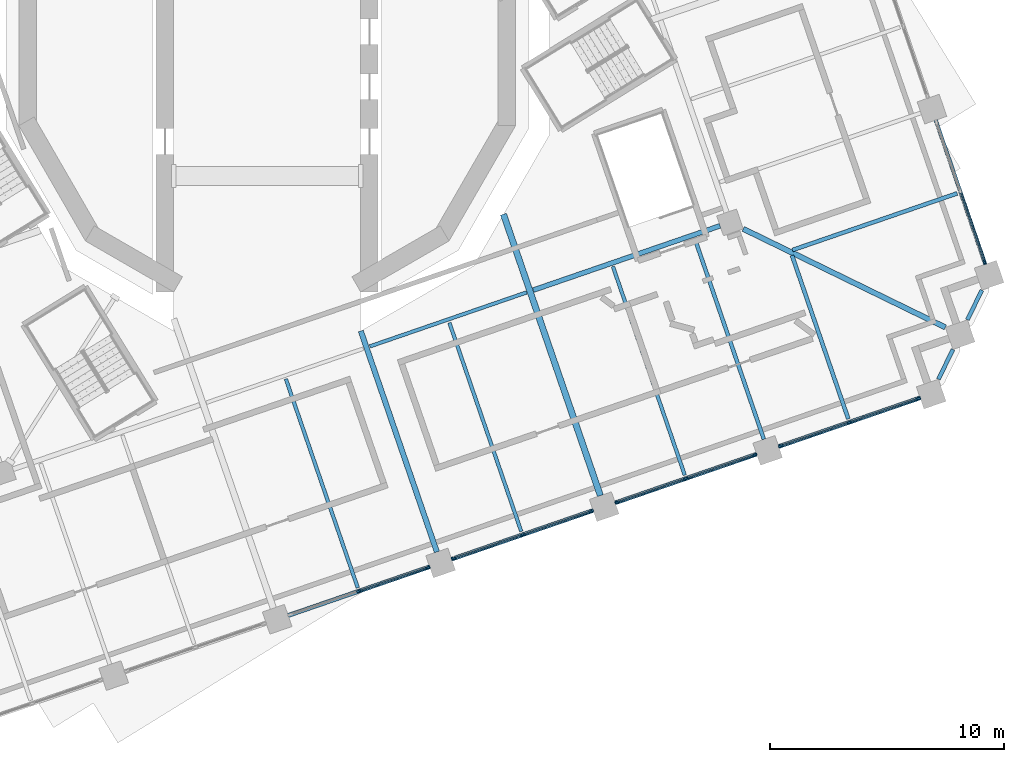
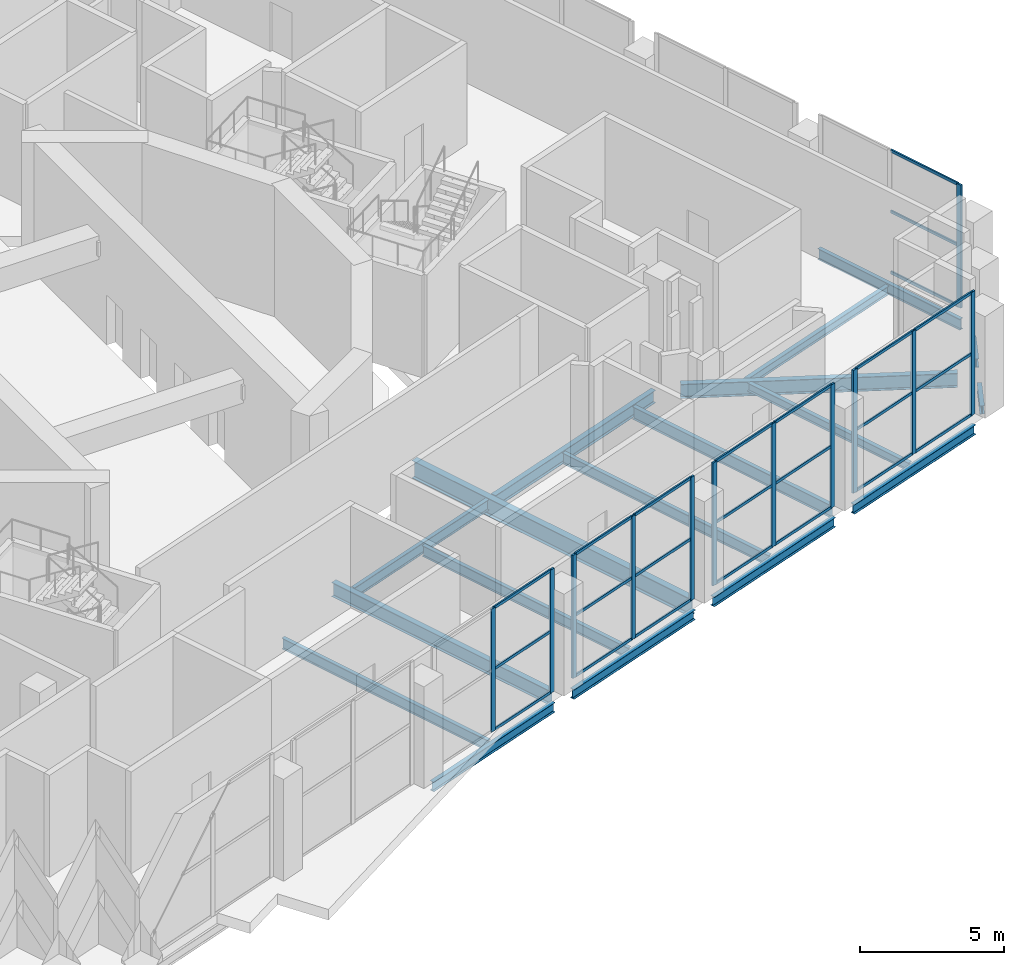
# One storey, part 4 of 20: 36 members, 18 beams, 5 elements without a shape of their own.
"""IFC4 building model written with IfcOpenShell, lengths in metres."""

from ifc_helpers import new_model, si_unit, direction, frame, origin, origin_2d, place, context, subcontext, project, spatial, rectangle, i_section, extrude, material, material_profile, profile_set, type_object, element, aggregate, save


model = new_model("IFC4")

# Units and contexts
model_context = context("Model", 3, precision=1e-05, world=origin(), true_north=direction((0.0, 1.0)))
body_context = subcontext(model_context, "Body", "Model", "MODEL_VIEW")
ifc_project = project(units=[si_unit("LENGTHUNIT", "METRE"), si_unit("AREAUNIT", "SQUARE_METRE"), si_unit("VOLUMEUNIT", "CUBIC_METRE"), si_unit("PLANEANGLEUNIT", "RADIAN"), si_unit("MASSUNIT", "GRAM", prefix="KILO")], contexts=[model_context])

# Site, building, storey
site_placement = place(None, origin())
site = spatial("IfcSite", under=ifc_project, at=site_placement, CompositionType="ELEMENT")
building_placement = place(site_placement, origin())
building = spatial("IfcBuilding", under=site, at=building_placement, Name="Cantera Rosa Tower", CompositionType="ELEMENT")
storey_placement = place(building_placement, frame((0.0, 0.0, 142.10009765625)))
storey = spatial("IfcBuildingStorey", under=building, at=storey_placement, Name="L30", CompositionType="ELEMENT", Elevation=142.10009765625)

# Curtain wall, member
ifc_material_1 = material(Name="Anodised aluminium louvre", Category="aluminium")
curtain_wall_type = type_object("IfcCurtainWallType", Name="CW3 REFUGE LOUVRE WALL", PredefinedType="NOTDEFINED", material=ifc_material_1)
curtain_wall_1_placement = place(storey_placement, origin())
curtain_wall_1 = element("IfcCurtainWall", 1, at=curtain_wall_1_placement, inside=storey, type_object=curtain_wall_type, Name="CW3 CW3", PredefinedType="NOTDEFINED")
ifc_material_2 = material(Name="Anodised bronze aluminium", Category="aluminium")
ifc_material_profile_1 = material_profile(ifc_material_2, rectangle(XDim=0.080078125, YDim=0.199951171875, at=origin_2d()), Name="CW-MULLION 80x200 REFUGE")
ifc_profile_set_1 = profile_set([ifc_material_profile_1], Name="Anodised bronze aluminium")
member_type_1 = type_object("IfcMemberType", Name="CW-MULLION 80x200 REFUGE", PredefinedType="MULLION", material=ifc_profile_set_1)
member_1_placement = place(storey_placement, frame((30.701171875, -8.68798828125, 0.0), z_axis=(0.0, 0.0, 1.0), x_axis=(-0.945518575605, -0.325568154441, 0.0)))
member_1 = element("IfcMember", 2, at=member_1_placement, type_object=member_type_1, Name="CW3 mullion 1", PredefinedType="MULLION", context=body_context, shape_type="SweptSolid", body=[
    extrude(rectangle(XDim=0.080078125, YDim=0.199951171875, at=origin_2d()), origin(), (0.0, 0.0, 1.0), 5.199951171875),
])

# Curtain wall, members
curtain_wall_2_placement = place(storey_placement, origin())
curtain_wall_2 = element("IfcCurtainWall", 3, at=curtain_wall_2_placement, inside=storey, type_object=curtain_wall_type, Name="CW3 CW3", PredefinedType="NOTDEFINED")
member_2_placement = place(storey_placement, frame((3.924560546875, -22.762451171875, 0.0), z_axis=(0.0, 0.0, 1.0), x_axis=(-0.325568154408, 0.945518575616, 0.0)))
member_2 = element("IfcMember", 4, at=member_2_placement, type_object=member_type_1, Name="CW3 mullion 2", PredefinedType="MULLION", context=body_context, shape_type="SweptSolid", body=[
    extrude(rectangle(XDim=0.080078125, YDim=0.199951171875, at=origin_2d()), origin(), (0.0, 0.0, 1.0), 5.199951171875),
])
member_3_placement = place(storey_placement, frame((6.864990234375, -21.75, 0.0), z_axis=(0.0, 0.0, 1.0), x_axis=(-0.325568154408, 0.945518575616, 0.0)))
member_3 = element("IfcMember", 5, at=member_3_placement, type_object=member_type_1, Name="CW3 mullion 3", PredefinedType="MULLION", context=body_context, shape_type="SweptSolid", body=[
    extrude(rectangle(XDim=0.080078125, YDim=0.199951171875, at=origin_2d()), origin(), (0.0, 0.0, 1.0), 5.199951171875),
])

curtain_wall_3_placement = place(storey_placement, origin())
curtain_wall_3 = element("IfcCurtainWall", 6, at=curtain_wall_3_placement, inside=storey, type_object=curtain_wall_type, Name="CW3 CW3", PredefinedType="NOTDEFINED")
member_4_placement = place(storey_placement, frame((7.980712890625, -21.36572265625, 0.0), z_axis=(0.0, 0.0, 1.0), x_axis=(-0.325568154457, 0.945518575599, 0.0)))
member_4 = element("IfcMember", 7, at=member_4_placement, type_object=member_type_1, Name="CW3 mullion 1", PredefinedType="MULLION", context=body_context, shape_type="SweptSolid", body=[
    extrude(rectangle(XDim=0.080078125, YDim=0.199951171875, at=origin_2d()), origin(), (0.0, 0.0, 1.0), 5.199951171875),
])
member_5_placement = place(storey_placement, frame((10.92138671875, -20.353271484375, 0.0), z_axis=(0.0, 0.0, 1.0), x_axis=(-0.325568154457, 0.945518575599, 0.0)))
member_5 = element("IfcMember", 8, at=member_5_placement, type_object=member_type_1, Name="CW3 mullion 2", PredefinedType="MULLION", context=body_context, shape_type="SweptSolid", body=[
    extrude(rectangle(XDim=0.080078125, YDim=0.199951171875, at=origin_2d()), origin(), (0.0, 0.0, 1.0), 5.199951171875),
])
member_6_placement = place(storey_placement, frame((13.86181640625, -19.3408203125, 0.0), z_axis=(0.0, 0.0, 1.0), x_axis=(-0.325568154457, 0.945518575599, 0.0)))
member_6 = element("IfcMember", 9, at=member_6_placement, type_object=member_type_1, Name="CW3 mullion 3", PredefinedType="MULLION", context=body_context, shape_type="SweptSolid", body=[
    extrude(rectangle(XDim=0.080078125, YDim=0.199951171875, at=origin_2d()), origin(), (0.0, 0.0, 1.0), 5.199951171875),
])

curtain_wall_4_placement = place(storey_placement, origin())
curtain_wall_4 = element("IfcCurtainWall", 10, at=curtain_wall_4_placement, inside=storey, type_object=curtain_wall_type, Name="CW3 CW3", PredefinedType="NOTDEFINED")
member_7_placement = place(storey_placement, frame((14.9775390625, -18.95654296875, 0.0), z_axis=(0.0, 0.0, 1.0), x_axis=(-0.325568154457, 0.945518575599, 0.0)))
member_7 = element("IfcMember", 11, at=member_7_placement, type_object=member_type_1, Name="CW3 mullion 1", PredefinedType="MULLION", context=body_context, shape_type="SweptSolid", body=[
    extrude(rectangle(XDim=0.080078125, YDim=0.199951171875, at=origin_2d()), origin(), (0.0, 0.0, 1.0), 5.199951171875),
])
member_8_placement = place(storey_placement, frame((17.918212890625, -17.944091796875, 0.0), z_axis=(0.0, 0.0, 1.0), x_axis=(-0.325568154457, 0.945518575599, 0.0)))
member_8 = element("IfcMember", 12, at=member_8_placement, type_object=member_type_1, Name="CW3 mullion 2", PredefinedType="MULLION", context=body_context, shape_type="SweptSolid", body=[
    extrude(rectangle(XDim=0.080078125, YDim=0.199951171875, at=origin_2d()), origin(), (0.0, 0.0, 1.0), 5.199951171875),
])
member_9_placement = place(storey_placement, frame((20.85888671875, -16.931396484375, 0.0), z_axis=(0.0, 0.0, 1.0), x_axis=(-0.325568154457, 0.945518575599, 0.0)))
member_9 = element("IfcMember", 13, at=member_9_placement, type_object=member_type_1, Name="CW3 mullion 3", PredefinedType="MULLION", context=body_context, shape_type="SweptSolid", body=[
    extrude(rectangle(XDim=0.080078125, YDim=0.199951171875, at=origin_2d()), origin(), (0.0, 0.0, 1.0), 5.199951171875),
])

curtain_wall_5_placement = place(storey_placement, origin())
curtain_wall_5 = element("IfcCurtainWall", 14, at=curtain_wall_5_placement, inside=storey, type_object=curtain_wall_type, Name="CW3 CW3", PredefinedType="NOTDEFINED")
member_10_placement = place(storey_placement, frame((21.974365234375, -16.54736328125, 0.0), z_axis=(0.0, 0.0, 1.0), x_axis=(-0.325568154457, 0.945518575599, 0.0)))
member_10 = element("IfcMember", 15, at=member_10_placement, type_object=member_type_1, Name="CW3 mullion 1", PredefinedType="MULLION", context=body_context, shape_type="SweptSolid", body=[
    extrude(rectangle(XDim=0.080078125, YDim=0.199951171875, at=origin_2d()), origin(), (0.0, 0.0, 1.0), 5.199951171875),
])
member_11_placement = place(storey_placement, frame((24.9150390625, -15.534912109375, 0.0), z_axis=(0.0, 0.0, 1.0), x_axis=(-0.325568154457, 0.945518575599, 0.0)))
member_11 = element("IfcMember", 16, at=member_11_placement, type_object=member_type_1, Name="CW3 mullion 2", PredefinedType="MULLION", context=body_context, shape_type="SweptSolid", body=[
    extrude(rectangle(XDim=0.080078125, YDim=0.199951171875, at=origin_2d()), origin(), (0.0, 0.0, 1.0), 5.199951171875),
])
member_12_placement = place(storey_placement, frame((27.855712890625, -14.522216796875, 0.0), z_axis=(0.0, 0.0, 1.0), x_axis=(-0.325568154457, 0.945518575599, 0.0)))
member_12 = element("IfcMember", 17, at=member_12_placement, type_object=member_type_1, Name="CW3 mullion 3", PredefinedType="MULLION", context=body_context, shape_type="SweptSolid", body=[
    extrude(rectangle(XDim=0.080078125, YDim=0.199951171875, at=origin_2d()), origin(), (0.0, 0.0, 1.0), 5.199951171875),
])

# Member
ifc_material_3 = material(Name="Anodised bronze aluminium", Category="aluminium")
ifc_material_profile_2 = material_profile(ifc_material_3, rectangle(XDim=0.06005859375, YDim=0.1201171875, at=origin_2d()), Name="CW-TRANSOM 60x120 REFUGE")
ifc_profile_set_2 = profile_set([ifc_material_profile_2], Name="Anodised bronze aluminium")
member_type_2 = type_object("IfcMemberType", Name="CW-TRANSOM 60x120 REFUGE", PredefinedType="USERDEFINED", material=ifc_profile_set_2)
member_13_placement = place(storey_placement, frame((30.688232421875, -8.650146484375, 0.02978515625), z_axis=(-0.325598629893, 0.945508081516, 0.0), x_axis=(-0.945508081516, -0.325598629893, 0.0)))
member_13 = element("IfcMember", 18, at=member_13_placement, type_object=member_type_2, Name="CW3 transom 1.1", ObjectType="TRANSOM", PredefinedType="USERDEFINED", context=body_context, shape_type="SweptSolid", body=[
    extrude(rectangle(XDim=0.06005859375, YDim=0.1201171875, at=origin_2d()), origin(), (0.0, 0.0, 1.0), 3.090087890625),
])

member_14_placement = place(storey_placement, frame((30.688232421875, -8.650146484375, 2.599853515625), z_axis=(-0.325598629893, 0.945508081516, 0.0), x_axis=(-0.945508081516, -0.325598629893, 0.0)))
member_14 = element("IfcMember", 19, at=member_14_placement, type_object=member_type_2, Name="CW3 transom 1.2", ObjectType="TRANSOM", PredefinedType="USERDEFINED", context=body_context, shape_type="SweptSolid", body=[
    extrude(rectangle(XDim=0.06005859375, YDim=0.1201171875, at=origin_2d()), origin(), (0.0, 0.0, 1.0), 3.090087890625),
])

member_15_placement = place(storey_placement, frame((30.688232421875, -8.650146484375, 5.169921875), z_axis=(-0.325598629893, 0.945508081516, 0.0), x_axis=(-0.945508081516, -0.325598629893, 0.0)))
member_15 = element("IfcMember", 20, at=member_15_placement, type_object=member_type_2, Name="CW3 transom 1.3", ObjectType="TRANSOM", PredefinedType="USERDEFINED", context=body_context, shape_type="SweptSolid", body=[
    extrude(rectangle(XDim=0.06005859375, YDim=0.1201171875, at=origin_2d()), origin(), (0.0, 0.0, 1.0), 3.090087890625),
])

aggregate(curtain_wall_1, [member_1, member_13, member_14, member_15])

member_16_placement = place(storey_placement, frame((3.96240234375, -22.74951171875, 0.02978515625), z_axis=(0.94551075118, 0.325590877334, 0.0), x_axis=(-0.325590877334, 0.94551075118, 0.0)))
member_16 = element("IfcMember", 21, at=member_16_placement, type_object=member_type_2, Name="CW3 transom 2.1", ObjectType="TRANSOM", PredefinedType="USERDEFINED", context=body_context, shape_type="SweptSolid", body=[
    extrude(rectangle(XDim=0.06005859375, YDim=0.1201171875, at=origin_2d()), origin(), (0.0, 0.0, 1.0), 3.030029296875),
])

member_17_placement = place(storey_placement, frame((3.96240234375, -22.74951171875, 2.599853515625), z_axis=(0.94551075118, 0.325590877334, 0.0), x_axis=(-0.325590877334, 0.94551075118, 0.0)))
member_17 = element("IfcMember", 22, at=member_17_placement, type_object=member_type_2, Name="CW3 transom 2.2", ObjectType="TRANSOM", PredefinedType="USERDEFINED", context=body_context, shape_type="SweptSolid", body=[
    extrude(rectangle(XDim=0.06005859375, YDim=0.1201171875, at=origin_2d()), origin(), (0.0, 0.0, 1.0), 3.030029296875),
])

member_18_placement = place(storey_placement, frame((3.96240234375, -22.74951171875, 5.169921875), z_axis=(0.94551075118, 0.325590877334, 0.0), x_axis=(-0.325590877334, 0.94551075118, 0.0)))
member_18 = element("IfcMember", 23, at=member_18_placement, type_object=member_type_2, Name="CW3 transom 2.3", ObjectType="TRANSOM", PredefinedType="USERDEFINED", context=body_context, shape_type="SweptSolid", body=[
    extrude(rectangle(XDim=0.06005859375, YDim=0.1201171875, at=origin_2d()), origin(), (0.0, 0.0, 1.0), 3.030029296875),
])

aggregate(curtain_wall_2, [member_2, member_3, member_16, member_17, member_18])

member_19_placement = place(storey_placement, frame((8.0185546875, -21.352783203125, 0.02978515625), z_axis=(0.94551075118, 0.325590877334, 0.0), x_axis=(-0.325590877334, 0.94551075118, 0.0)))
member_19 = element("IfcMember", 24, at=member_19_placement, type_object=member_type_2, Name="CW3 transom 1.1", ObjectType="TRANSOM", PredefinedType="USERDEFINED", context=body_context, shape_type="SweptSolid", body=[
    extrude(rectangle(XDim=0.06005859375, YDim=0.1201171875, at=origin_2d()), origin(), (0.0, 0.0, 1.0), 3.030029296875),
])

member_20_placement = place(storey_placement, frame((8.0185546875, -21.352783203125, 2.599853515625), z_axis=(0.94551075118, 0.325590877334, 0.0), x_axis=(-0.325590877334, 0.94551075118, 0.0)))
member_20 = element("IfcMember", 25, at=member_20_placement, type_object=member_type_2, Name="CW3 transom 1.2", ObjectType="TRANSOM", PredefinedType="USERDEFINED", context=body_context, shape_type="SweptSolid", body=[
    extrude(rectangle(XDim=0.06005859375, YDim=0.1201171875, at=origin_2d()), origin(), (0.0, 0.0, 1.0), 3.030029296875),
])

member_21_placement = place(storey_placement, frame((8.0185546875, -21.352783203125, 5.169921875), z_axis=(0.94551075118, 0.325590877334, 0.0), x_axis=(-0.325590877334, 0.94551075118, 0.0)))
member_21 = element("IfcMember", 26, at=member_21_placement, type_object=member_type_2, Name="CW3 transom 1.3", ObjectType="TRANSOM", PredefinedType="USERDEFINED", context=body_context, shape_type="SweptSolid", body=[
    extrude(rectangle(XDim=0.06005859375, YDim=0.1201171875, at=origin_2d()), origin(), (0.0, 0.0, 1.0), 3.030029296875),
])

member_22_placement = place(storey_placement, frame((10.959228515625, -20.340087890625, 0.02978515625), z_axis=(0.945535553107, 0.325518844018, 0.0), x_axis=(-0.325518844018, 0.945535553107, 0.0)))
member_22 = element("IfcMember", 27, at=member_22_placement, type_object=member_type_2, Name="CW3 transom 2.1", ObjectType="TRANSOM", PredefinedType="USERDEFINED", context=body_context, shape_type="SweptSolid", body=[
    extrude(rectangle(XDim=0.06005859375, YDim=0.1201171875, at=origin_2d()), origin(), (0.0, 0.0, 1.0), 3.030029296875),
])

member_23_placement = place(storey_placement, frame((10.959228515625, -20.340087890625, 2.599853515625), z_axis=(0.945535553107, 0.325518844018, 0.0), x_axis=(-0.325518844018, 0.945535553107, 0.0)))
member_23 = element("IfcMember", 28, at=member_23_placement, type_object=member_type_2, Name="CW3 transom 2.2", ObjectType="TRANSOM", PredefinedType="USERDEFINED", context=body_context, shape_type="SweptSolid", body=[
    extrude(rectangle(XDim=0.06005859375, YDim=0.1201171875, at=origin_2d()), origin(), (0.0, 0.0, 1.0), 3.030029296875),
])

member_24_placement = place(storey_placement, frame((10.959228515625, -20.340087890625, 5.169921875), z_axis=(0.945535553107, 0.325518844018, 0.0), x_axis=(-0.325518844018, 0.945535553107, 0.0)))
member_24 = element("IfcMember", 29, at=member_24_placement, type_object=member_type_2, Name="CW3 transom 2.3", ObjectType="TRANSOM", PredefinedType="USERDEFINED", context=body_context, shape_type="SweptSolid", body=[
    extrude(rectangle(XDim=0.06005859375, YDim=0.1201171875, at=origin_2d()), origin(), (0.0, 0.0, 1.0), 3.030029296875),
])

aggregate(curtain_wall_3, [member_4, member_5, member_6, member_19, member_20, member_21, member_22, member_23, member_24])

member_25_placement = place(storey_placement, frame((15.015380859375, -18.943603515625, 0.02978515625), z_axis=(0.94551075118, 0.325590877334, 0.0), x_axis=(-0.325590877334, 0.94551075118, 0.0)))
member_25 = element("IfcMember", 30, at=member_25_placement, type_object=member_type_2, Name="CW3 transom 1.1", ObjectType="TRANSOM", PredefinedType="USERDEFINED", context=body_context, shape_type="SweptSolid", body=[
    extrude(rectangle(XDim=0.06005859375, YDim=0.1201171875, at=origin_2d()), origin(), (0.0, 0.0, 1.0), 3.030029296875),
])

member_26_placement = place(storey_placement, frame((15.015380859375, -18.943603515625, 2.599853515625), z_axis=(0.94551075118, 0.325590877334, 0.0), x_axis=(-0.325590877334, 0.94551075118, 0.0)))
member_26 = element("IfcMember", 31, at=member_26_placement, type_object=member_type_2, Name="CW3 transom 1.2", ObjectType="TRANSOM", PredefinedType="USERDEFINED", context=body_context, shape_type="SweptSolid", body=[
    extrude(rectangle(XDim=0.06005859375, YDim=0.1201171875, at=origin_2d()), origin(), (0.0, 0.0, 1.0), 3.030029296875),
])

member_27_placement = place(storey_placement, frame((15.015380859375, -18.943603515625, 5.169921875), z_axis=(0.94551075118, 0.325590877334, 0.0), x_axis=(-0.325590877334, 0.94551075118, 0.0)))
member_27 = element("IfcMember", 32, at=member_27_placement, type_object=member_type_2, Name="CW3 transom 1.3", ObjectType="TRANSOM", PredefinedType="USERDEFINED", context=body_context, shape_type="SweptSolid", body=[
    extrude(rectangle(XDim=0.06005859375, YDim=0.1201171875, at=origin_2d()), origin(), (0.0, 0.0, 1.0), 3.030029296875),
])

member_28_placement = place(storey_placement, frame((17.9560546875, -17.930908203125, 0.02978515625), z_axis=(0.945535553107, 0.325518844018, 0.0), x_axis=(-0.325518844018, 0.945535553107, 0.0)))
member_28 = element("IfcMember", 33, at=member_28_placement, type_object=member_type_2, Name="CW3 transom 2.1", ObjectType="TRANSOM", PredefinedType="USERDEFINED", context=body_context, shape_type="SweptSolid", body=[
    extrude(rectangle(XDim=0.06005859375, YDim=0.1201171875, at=origin_2d()), origin(), (0.0, 0.0, 1.0), 3.030029296875),
])

member_29_placement = place(storey_placement, frame((17.9560546875, -17.930908203125, 2.599853515625), z_axis=(0.945535553107, 0.325518844018, 0.0), x_axis=(-0.325518844018, 0.945535553107, 0.0)))
member_29 = element("IfcMember", 34, at=member_29_placement, type_object=member_type_2, Name="CW3 transom 2.2", ObjectType="TRANSOM", PredefinedType="USERDEFINED", context=body_context, shape_type="SweptSolid", body=[
    extrude(rectangle(XDim=0.06005859375, YDim=0.1201171875, at=origin_2d()), origin(), (0.0, 0.0, 1.0), 3.030029296875),
])

member_30_placement = place(storey_placement, frame((17.9560546875, -17.930908203125, 5.169921875), z_axis=(0.945535553107, 0.325518844018, 0.0), x_axis=(-0.325518844018, 0.945535553107, 0.0)))
member_30 = element("IfcMember", 35, at=member_30_placement, type_object=member_type_2, Name="CW3 transom 2.3", ObjectType="TRANSOM", PredefinedType="USERDEFINED", context=body_context, shape_type="SweptSolid", body=[
    extrude(rectangle(XDim=0.06005859375, YDim=0.1201171875, at=origin_2d()), origin(), (0.0, 0.0, 1.0), 3.030029296875),
])

aggregate(curtain_wall_4, [member_7, member_8, member_9, member_25, member_26, member_27, member_28, member_29, member_30])

member_31_placement = place(storey_placement, frame((22.01220703125, -16.534423828125, 0.02978515625), z_axis=(0.94551075118, 0.325590877334, 0.0), x_axis=(-0.325590877334, 0.94551075118, 0.0)))
member_31 = element("IfcMember", 36, at=member_31_placement, type_object=member_type_2, Name="CW3 transom 1.1", ObjectType="TRANSOM", PredefinedType="USERDEFINED", context=body_context, shape_type="SweptSolid", body=[
    extrude(rectangle(XDim=0.06005859375, YDim=0.1201171875, at=origin_2d()), origin(), (0.0, 0.0, 1.0), 3.030029296875),
])

member_32_placement = place(storey_placement, frame((22.01220703125, -16.534423828125, 2.599853515625), z_axis=(0.94551075118, 0.325590877334, 0.0), x_axis=(-0.325590877334, 0.94551075118, 0.0)))
member_32 = element("IfcMember", 37, at=member_32_placement, type_object=member_type_2, Name="CW3 transom 1.2", ObjectType="TRANSOM", PredefinedType="USERDEFINED", context=body_context, shape_type="SweptSolid", body=[
    extrude(rectangle(XDim=0.06005859375, YDim=0.1201171875, at=origin_2d()), origin(), (0.0, 0.0, 1.0), 3.030029296875),
])

member_33_placement = place(storey_placement, frame((22.01220703125, -16.534423828125, 5.169921875), z_axis=(0.94551075118, 0.325590877334, 0.0), x_axis=(-0.325590877334, 0.94551075118, 0.0)))
member_33 = element("IfcMember", 38, at=member_33_placement, type_object=member_type_2, Name="CW3 transom 1.3", ObjectType="TRANSOM", PredefinedType="USERDEFINED", context=body_context, shape_type="SweptSolid", body=[
    extrude(rectangle(XDim=0.06005859375, YDim=0.1201171875, at=origin_2d()), origin(), (0.0, 0.0, 1.0), 3.030029296875),
])

member_34_placement = place(storey_placement, frame((24.952880859375, -15.521728515625, 0.02978515625), z_axis=(0.945535553107, 0.325518844018, 0.0), x_axis=(-0.325518844018, 0.945535553107, 0.0)))
member_34 = element("IfcMember", 39, at=member_34_placement, type_object=member_type_2, Name="CW3 transom 2.1", ObjectType="TRANSOM", PredefinedType="USERDEFINED", context=body_context, shape_type="SweptSolid", body=[
    extrude(rectangle(XDim=0.06005859375, YDim=0.1201171875, at=origin_2d()), origin(), (0.0, 0.0, 1.0), 3.030029296875),
])

member_35_placement = place(storey_placement, frame((24.952880859375, -15.521728515625, 2.599853515625), z_axis=(0.945535553107, 0.325518844018, 0.0), x_axis=(-0.325518844018, 0.945535553107, 0.0)))
member_35 = element("IfcMember", 40, at=member_35_placement, type_object=member_type_2, Name="CW3 transom 2.2", ObjectType="TRANSOM", PredefinedType="USERDEFINED", context=body_context, shape_type="SweptSolid", body=[
    extrude(rectangle(XDim=0.06005859375, YDim=0.1201171875, at=origin_2d()), origin(), (0.0, 0.0, 1.0), 3.030029296875),
])

member_36_placement = place(storey_placement, frame((24.952880859375, -15.521728515625, 5.169921875), z_axis=(0.945535553107, 0.325518844018, 0.0), x_axis=(-0.325518844018, 0.945535553107, 0.0)))
member_36 = element("IfcMember", 41, at=member_36_placement, type_object=member_type_2, Name="CW3 transom 2.3", ObjectType="TRANSOM", PredefinedType="USERDEFINED", context=body_context, shape_type="SweptSolid", body=[
    extrude(rectangle(XDim=0.06005859375, YDim=0.1201171875, at=origin_2d()), origin(), (0.0, 0.0, 1.0), 3.030029296875),
])

aggregate(curtain_wall_5, [member_10, member_11, member_12, member_31, member_32, member_33, member_34, member_35, member_36])

# Beams
ifc_material_4 = material(Name="Steel ASTM A992 (Fy 345 MPa)", Category="steel")
ifc_material_profile_3 = material_profile(ifc_material_4, i_section(OverallWidth=0.154052734375, OverallDepth=0.4599609375, WebThickness=0.009033203125, FlangeThickness=0.015380859375, FilletRadius=0.01025390625, at=origin_2d()), Name="W460X68")
ifc_profile_set_3 = profile_set([ifc_material_profile_3], Name="Steel ASTM A992 (Fy 345 MPa)")
beam_type_1 = type_object("IfcBeamType", Name="STEEL BEAM W460X68", PredefinedType="BEAM", material=ifc_profile_set_3)
beam_1_placement = place(storey_placement, frame((4.390380859375, -12.290283203125, -0.68017578125), z_axis=(0.9455219702, 0.325558295653, 0.0), x_axis=(-0.325558295653, 0.9455219702, 0.0)))
element("IfcBeam", 42, at=beam_1_placement, inside=storey, type_object=beam_type_1, Name="RB-Z2-07 L30", PredefinedType="BEAM", context=body_context, shape_type="SweptSolid", body=[
    extrude(i_section(OverallWidth=0.154052734375, OverallDepth=0.4599609375, WebThickness=0.009033203125, FlangeThickness=0.015380859375, FilletRadius=0.01025390625, at=origin_2d()), origin(), (0.0, 0.0, 1.0), 7.10009765625),
])
ifc_material_5 = material(Name="Steel ASTM A992 (Fy 345 MPa)", Category="steel")
ifc_material_profile_4 = material_profile(ifc_material_5, i_section(OverallWidth=0.166015625, OverallDepth=0.528076171875, WebThickness=0.009765625, FlangeThickness=0.013671875, FilletRadius=0.0126953125, at=origin_2d()), Name="W530X74")
ifc_profile_set_4 = profile_set([ifc_material_profile_4], Name="Steel ASTM A992 (Fy 345 MPa)")
beam_type_2 = type_object("IfcBeamType", Name="STEEL BEAM W530X74", PredefinedType="BEAM", material=ifc_profile_set_4)
beam_2_placement = place(storey_placement, frame((21.25390625, -16.2666015625, -0.714111328125), z_axis=(-0.325564842737, 0.94551971591, 0.0), x_axis=(-0.94551971591, -0.325564842737, 0.0)))
element("IfcBeam", 43, at=beam_2_placement, inside=storey, type_object=beam_type_2, Name="G-Z2-14 L30", PredefinedType="BEAM", context=body_context, shape_type="SweptSolid", body=[
    extrude(i_section(OverallWidth=0.166015625, OverallDepth=0.528076171875, WebThickness=0.009765625, FlangeThickness=0.013671875, FilletRadius=0.0126953125, at=origin_2d()), origin(), (0.0, 0.0, 1.0), 9.10009765625),
])
ifc_material_6 = material(Name="Steel ASTM A992 (Fy 345 MPa)", Category="steel")
ifc_material_profile_5 = material_profile(ifc_material_6, i_section(OverallWidth=0.208984375, OverallDepth=0.532958984375, WebThickness=0.01025390625, FlangeThickness=0.015625, FilletRadius=0.0126953125, at=origin_2d()), Name="W530X92")
ifc_profile_set_5 = profile_set([ifc_material_profile_5], Name="Steel ASTM A992 (Fy 345 MPa)")
beam_type_3 = type_object("IfcBeamType", Name="STEEL BEAM W530X92", PredefinedType="BEAM", material=ifc_profile_set_5)
beam_3_placement = place(storey_placement, frame((11.387451171875, -9.880859375, -0.716552734375), z_axis=(0.945519653071, 0.325565025235, 0.0), x_axis=(-0.325565025235, 0.945519653071, 0.0)))
element("IfcBeam", 44, at=beam_3_placement, inside=storey, type_object=beam_type_3, Name="RB-Z2-08 L30", PredefinedType="BEAM", context=body_context, shape_type="SweptSolid", body=[
    extrude(i_section(OverallWidth=0.208984375, OverallDepth=0.532958984375, WebThickness=0.01025390625, FlangeThickness=0.015625, FilletRadius=0.0126953125, at=origin_2d()), origin(), (0.0, 0.0, 1.0), 8.449951171875),
])
ifc_material_7 = material(Name="Steel ASTM A992 (Fy 345 MPa)", Category="steel")
ifc_material_profile_6 = material_profile(ifc_material_7, i_section(OverallWidth=0.22802734375, OverallDepth=0.60205078125, WebThickness=0.010498046875, FlangeThickness=0.014892578125, FilletRadius=0.0126953125, at=origin_2d()), Name="W610X101")
ifc_profile_set_6 = profile_set([ifc_material_profile_6], Name="Steel ASTM A992 (Fy 345 MPa)")
beam_type_4 = type_object("IfcBeamType", Name="STEEL BEAM W610X101", PredefinedType="BEAM", material=ifc_profile_set_6)
beam_4_placement = place(storey_placement, frame((29.017822265625, -11.47802734375, -0.7509765625), z_axis=(-0.898796015179, 0.438367109965, 0.0), x_axis=(-0.438367109965, -0.898796015179, 0.0)))
element("IfcBeam", 45, at=beam_4_placement, inside=storey, type_object=beam_type_4, Name="CB-Z2-04 L30", PredefinedType="BEAM", context=body_context, shape_type="SweptSolid", body=[
    extrude(i_section(OverallWidth=0.22802734375, OverallDepth=0.60205078125, WebThickness=0.010498046875, FlangeThickness=0.014892578125, FilletRadius=0.0126953125, at=origin_2d()), origin(), (0.0, 0.0, 1.0), 9.616455078125),
])
beam_5_placement = place(storey_placement, frame((7.26025390625, -21.0849609375, -0.7509765625), z_axis=(-0.325587365823, 0.945511960377, 0.0), x_axis=(-0.945511960377, -0.325587365823, 0.0)))
element("IfcBeam", 46, at=beam_5_placement, inside=storey, type_object=beam_type_4, Name="G-Z2-12 L30", PredefinedType="BEAM", context=body_context, shape_type="SweptSolid", body=[
    extrude(i_section(OverallWidth=0.22802734375, OverallDepth=0.60205078125, WebThickness=0.010498046875, FlangeThickness=0.014892578125, FilletRadius=0.0126953125, at=origin_2d()), origin(), (0.0, 0.0, 1.0), 10.0),
])
ifc_material_8 = material(Name="Steel ASTM A992 (Fy 345 MPa)", Category="steel")
ifc_material_profile_7 = material_profile(ifc_material_8, i_section(OverallWidth=0.26708984375, OverallDepth=0.75390625, WebThickness=0.01318359375, FlangeThickness=0.01708984375, FilletRadius=0.0166015625, at=origin_2d()), Name="W760X147")
ifc_profile_set_7 = profile_set([ifc_material_profile_7], Name="Steel ASTM A992 (Fy 345 MPa)")
beam_type_5 = type_object("IfcBeamType", Name="STEEL BEAM W760X147", PredefinedType="BEAM", material=ifc_profile_set_7)
beam_6_placement = place(storey_placement, frame((14.257080078125, -18.67578125, -0.8271484375), z_axis=(-0.325575880476, 0.945515915282, 0.0), x_axis=(-0.945515915282, -0.325575880476, 0.0)))
element("IfcBeam", 47, at=beam_6_placement, inside=storey, type_object=beam_type_5, Name="G-Z2-13 L30", PredefinedType="BEAM", context=body_context, shape_type="SweptSolid", body=[
    extrude(i_section(OverallWidth=0.26708984375, OverallDepth=0.75390625, WebThickness=0.01318359375, FlangeThickness=0.01708984375, FilletRadius=0.0166015625, at=origin_2d()), origin(), (0.0, 0.0, 1.0), 12.734375),
])
ifc_material_9 = material(Name="Steel ASTM A992 (Fy 345 MPa)", Category="steel")
ifc_material_profile_8 = material_profile(ifc_material_9, i_section(OverallWidth=0.1708984375, OverallDepth=0.35595703125, WebThickness=0.00732421875, FlangeThickness=0.01171875, FilletRadius=0.010009765625, at=origin_2d()), Name="W360X51")
ifc_profile_set_8 = profile_set([ifc_material_profile_8], Name="Steel ASTM A992 (Fy 345 MPa)")
beam_type_6 = type_object("IfcBeamType", Name="STEEL JOIST W360X51", PredefinedType="JOIST", material=ifc_profile_set_8)
beam_7_placement = place(storey_placement, frame((29.52734375, -5.739501953125, -0.628173828125), z_axis=(-0.945521732807, -0.325558985116, 0.0), x_axis=(0.325558985116, -0.945521732807, 0.0)))
element("IfcBeam", 48, at=beam_7_placement, inside=storey, type_object=beam_type_6, Name="B-Z2-01 L30", PredefinedType="JOIST", context=body_context, shape_type="SweptSolid", body=[
    extrude(i_section(OverallWidth=0.1708984375, OverallDepth=0.35595703125, WebThickness=0.00732421875, FlangeThickness=0.01171875, FilletRadius=0.010009765625, at=origin_2d()), origin(), (0.0, 0.0, 1.0), 7.460205078125),
])
beam_8_placement = place(storey_placement, frame((24.8662109375, -15.39306640625, -0.628173828125), z_axis=(-0.325565645331, 0.945519439557, 0.0), x_axis=(-0.945519439557, -0.325565645331, 0.0)))
element("IfcBeam", 49, at=beam_8_placement, inside=storey, type_object=beam_type_6, Name="B-Z2-17 L30", PredefinedType="JOIST", context=body_context, shape_type="SweptSolid", body=[
    extrude(i_section(OverallWidth=0.1708984375, OverallDepth=0.35595703125, WebThickness=0.00732421875, FlangeThickness=0.01171875, FilletRadius=0.010009765625, at=origin_2d()), origin(), (0.0, 0.0, 1.0), 7.39990234375),
])
ifc_material_10 = material(Name="Steel ASTM A992 (Fy 345 MPa)", Category="steel")
ifc_material_profile_9 = material_profile(ifc_material_10, i_section(OverallWidth=0.154052734375, OverallDepth=0.4599609375, WebThickness=0.009033203125, FlangeThickness=0.015380859375, FilletRadius=0.01025390625, at=origin_2d()), Name="W460X68")
ifc_profile_set_9 = profile_set([ifc_material_profile_9], Name="Steel ASTM A992 (Fy 345 MPa)")
beam_type_7 = type_object("IfcBeamType", Name="STEEL JOIST W460X68", PredefinedType="JOIST", material=ifc_profile_set_9)
beam_9_placement = place(storey_placement, frame((3.875732421875, -22.62060546875, -0.68017578125), z_axis=(-0.325575037498, 0.94551620555, 0.0), x_axis=(-0.94551620555, -0.325575037498, 0.0)))
element("IfcBeam", 50, at=beam_9_placement, inside=storey, type_object=beam_type_7, Name="B-Z2-14 L30", PredefinedType="JOIST", context=body_context, shape_type="SweptSolid", body=[
    extrude(i_section(OverallWidth=0.154052734375, OverallDepth=0.4599609375, WebThickness=0.009033203125, FlangeThickness=0.015380859375, FilletRadius=0.01025390625, at=origin_2d()), origin(), (0.0, 0.0, 1.0), 9.449951171875),
])
for number, where, z_axis, x_axis, name in (
    (51, (10.87255859375, -20.21142578125, -0.68017578125), (-0.325567084667, 0.945518943957, 0.0), (-0.945518943957, -0.325567084667, 0.0), "B-Z2-15 L30"),
    (52, (17.869384765625, -17.80224609375, -0.68017578125), (-0.325567084667, 0.945518943957, 0.0), (-0.945518943957, -0.325567084667, 0.0), "B-Z2-16 L30"),
):
    element("IfcBeam", number, at=place(storey_placement, frame(where, z_axis=z_axis, x_axis=x_axis)), inside=storey, type_object=beam_type_7, Name=name, PredefinedType="JOIST", context=body_context, shape_type="SweptSolid", body=[
        extrude(i_section(OverallWidth=0.154052734375, OverallDepth=0.4599609375, WebThickness=0.009033203125, FlangeThickness=0.015380859375, FilletRadius=0.01025390625, at=origin_2d()), origin(), (0.0, 0.0, 1.0), 9.4501953125),
    ])
ifc_material_11 = material(Name="Steel ASTM A992 (Fy 345 MPa)", Category="steel")
ifc_material_profile_10 = material_profile(ifc_material_11, i_section(OverallWidth=0.1708984375, OverallDepth=0.35595703125, WebThickness=0.00732421875, FlangeThickness=0.01171875, FilletRadius=0.010009765625, at=origin_2d()), Name="W360X51")
ifc_profile_set_10 = profile_set([ifc_material_profile_10], Name="Steel ASTM A992 (Fy 345 MPa)")
beam_type_8 = type_object("IfcBeamType", Name="STEEL SPANDREL BEAM W360X51", PredefinedType="SPANDREL", material=ifc_profile_set_10)
for number, where, z_axis, x_axis, name in (
    (53, (28.723388671875, -13.694580078125, -0.628173828125), (0.438491655897, 0.898735260079, 0.0), (-0.898735260079, 0.438491655897, 0.0), "EB-Z2-29 L30"),
    (54, (29.96337890625, -11.152587890625, -0.628173828125), (0.438284186308, 0.898836454552, 0.0), (-0.898836454552, 0.438284186308, 0.0), "EB-Z2-30 L30"),
):
    element("IfcBeam", number, at=place(storey_placement, frame(where, z_axis=z_axis, x_axis=x_axis)), inside=storey, type_object=beam_type_8, Name=name, PredefinedType="SPANDREL", context=body_context, shape_type="SweptSolid", body=[
        extrude(i_section(OverallWidth=0.1708984375, OverallDepth=0.35595703125, WebThickness=0.00732421875, FlangeThickness=0.01171875, FilletRadius=0.010009765625, at=origin_2d()), origin(), (0.0, 0.0, 1.0), 1.414306640625),
    ])
ifc_material_12 = material(Name="Steel ASTM A992 (Fy 345 MPa)", Category="steel")
ifc_material_profile_11 = material_profile(ifc_material_12, i_section(OverallWidth=0.177978515625, OverallDepth=0.406005859375, WebThickness=0.0078125, FlangeThickness=0.0126953125, FilletRadius=0.01025390625, at=origin_2d()), Name="W410X60")
ifc_profile_set_11 = profile_set([ifc_material_profile_11], Name="Steel ASTM A992 (Fy 345 MPa)")
beam_type_9 = type_object("IfcBeamType", Name="STEEL SPANDREL BEAM W410X60", PredefinedType="SPANDREL", material=ifc_profile_set_11)
for number, where, z_axis, x_axis, name in (
    (55, (0.89892578125, -23.80419921875, -0.653076171875), (0.945524496524, 0.325550958337, 0.0), (-0.325550958337, 0.945524496524, 0.0), "EB-Z2-25 L30"),
    (56, (7.895751953125, -21.39501953125, -0.653076171875), (0.945524496524, 0.325550958337, 0.0), (-0.325550958337, 0.945524496524, 0.0), "EB-Z2-26 L30"),
    (57, (14.892578125, -18.98583984375, -0.653076171875), (0.945512753621, 0.325585062219, 0.0), (-0.325585062219, 0.945512753621, 0.0), "EB-Z2-27 L30"),
    (58, (21.889404296875, -16.57666015625, -0.653076171875), (0.945512753621, 0.325585062219, 0.0), (-0.325585062219, 0.945512753621, 0.0), "EB-Z2-28 L30"),
):
    element("IfcBeam", number, at=place(storey_placement, frame(where, z_axis=z_axis, x_axis=x_axis)), inside=storey, type_object=beam_type_9, Name=name, PredefinedType="SPANDREL", context=body_context, shape_type="SweptSolid", body=[
        extrude(i_section(OverallWidth=0.177978515625, OverallDepth=0.406005859375, WebThickness=0.0078125, FlangeThickness=0.0126953125, FilletRadius=0.01025390625, at=origin_2d()), origin(), (0.0, 0.0, 1.0), 6.39990234375),
    ])
ifc_material_13 = material(Name="Steel ASTM A992 (Fy 345 MPa)", Category="steel")
ifc_material_profile_12 = material_profile(ifc_material_13, i_section(OverallWidth=0.154052734375, OverallDepth=0.4599609375, WebThickness=0.009033203125, FlangeThickness=0.015380859375, FilletRadius=0.01025390625, at=origin_2d()), Name="W460X68")
ifc_profile_set_12 = profile_set([ifc_material_profile_12], Name="Steel ASTM A992 (Fy 345 MPa)")
beam_type_10 = type_object("IfcBeamType", Name="STEEL SPANDREL BEAM W460X68", PredefinedType="SPANDREL", material=ifc_profile_set_12)
beam_10_placement = place(storey_placement, frame((30.73046875, -8.773193359375, -0.68017578125), z_axis=(-0.325580990241, 0.945514155787, 0.0), x_axis=(-0.945514155787, -0.325580990241, 0.0)))
element("IfcBeam", 59, at=beam_10_placement, inside=storey, type_object=beam_type_10, Name="EB-Z2-01 L30", PredefinedType="SPANDREL", context=body_context, shape_type="SweptSolid", body=[
    extrude(i_section(OverallWidth=0.154052734375, OverallDepth=0.4599609375, WebThickness=0.009033203125, FlangeThickness=0.015380859375, FilletRadius=0.01025390625, at=origin_2d()), origin(), (0.0, 0.0, 1.0), 6.52001953125),
])

save(model, "model.ifc")
